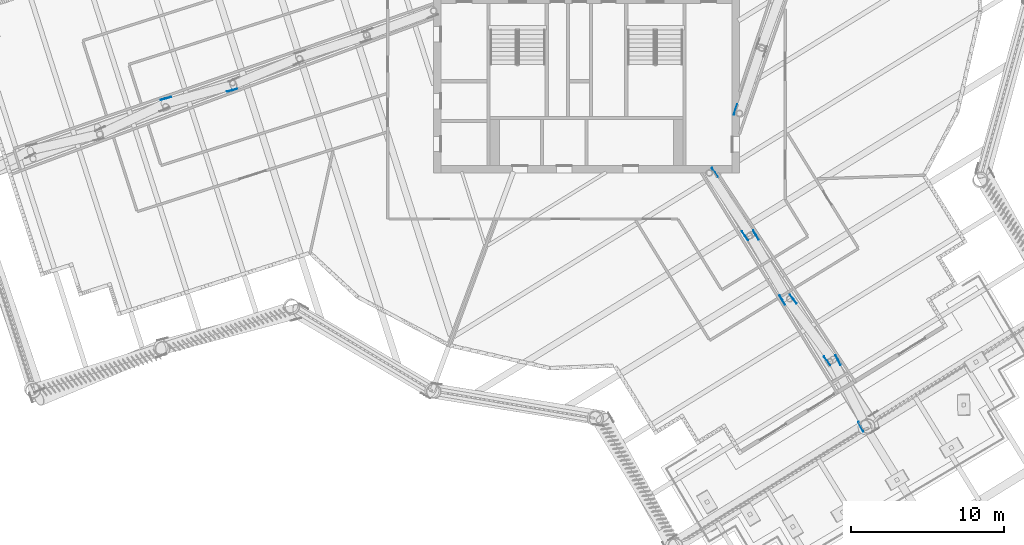
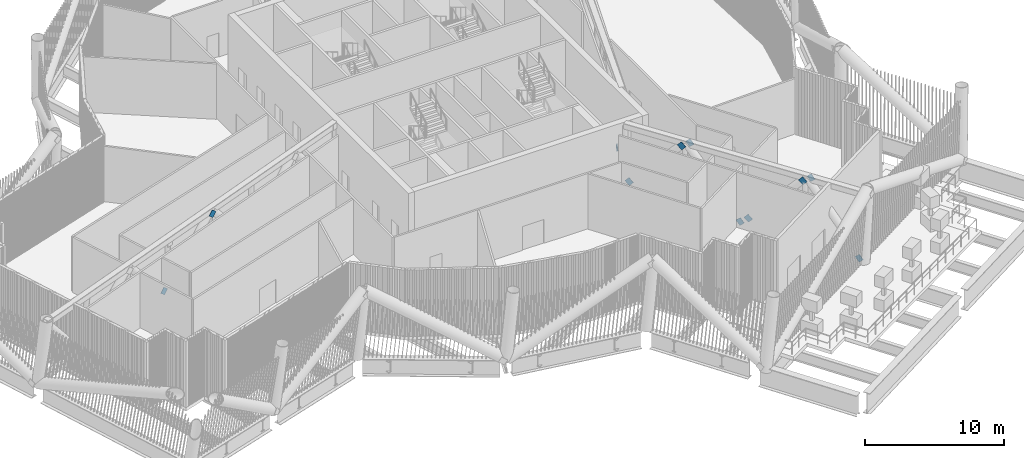
# One storey, part 17 of 40: 11 discrete accessories.
"""IFC4 building model written with IfcOpenShell, lengths in metres."""

from ifc_helpers import new_model, si_unit, direction, frame, origin, origin_2d, place, context, subcontext, project, spatial, rectangle, extrude, material, material_profile, profile_set, type_object, element, save


model = new_model("IFC4")

# Units and contexts
model_context = context("Model", 3, precision=1e-05, world=origin(), true_north=direction((0.0, 1.0)))
body_context = subcontext(model_context, "Body", "Model", "MODEL_VIEW")
ifc_project = project(units=[si_unit("LENGTHUNIT", "METRE"), si_unit("AREAUNIT", "SQUARE_METRE"), si_unit("VOLUMEUNIT", "CUBIC_METRE"), si_unit("PLANEANGLEUNIT", "RADIAN"), si_unit("MASSUNIT", "GRAM", prefix="KILO")], contexts=[model_context])

# Site, building, storey
site_placement = place(None, origin())
site = spatial("IfcSite", under=ifc_project, at=site_placement, CompositionType="ELEMENT")
building_placement = place(site_placement, origin())
building = spatial("IfcBuilding", under=site, at=building_placement, Name="Tarsis Ring Headquarters", CompositionType="ELEMENT")
storey_placement = place(building_placement, frame((0.0, 0.0, 354.800048828125)))
storey = spatial("IfcBuildingStorey", under=building, at=storey_placement, Name="L84", CompositionType="ELEMENT", Elevation=354.800048828125)

# Discrete accessories
ifc_material = material(Name="Structural steel S355", Category="steel")
ifc_material_profile = material_profile(ifc_material, rectangle(XDim=0.02490234375, YDim=0.5, at=origin_2d()), Name="PL 25x500")
ifc_profile_set = profile_set([ifc_material_profile], Name="Structural steel S355")
discrete_accessory_type = type_object("IfcDiscreteAccessoryType", Name="Gusset plate Outrigger 25", PredefinedType="BRACKET", material=ifc_profile_set)
for number, where, z_axis, x_axis, name in (
    (1, (9.698974609375, -8.999267578125, 0.25390625), (0.205588440169, 0.614323652573, 0.761800395877), (-0.948305714134, 0.317358271582, 0.0), "Gusset plate GP1"),
    (2, (8.301513671875, -12.825439453125, 0.25390625), (0.371074198428, -0.563935130505, 0.737754097137), (0.835373382951, 0.549682918652, 0.0), "Gusset plate GP1"),
    (3, (10.455810546875, -17.249755859375, 5.5859375), (-0.371597358625, 0.563499805326, -0.737823401947), (-0.834822196695, -0.550519663505, 0.0), "Gusset plate GP1"),
    (4, (10.995361328125, -16.916259765625, 5.5859375), (0.338425142969, -0.584552519673, -0.737405434174), (0.865426285481, 0.501036270542, 0.0), "Gusset plate GP1"),
    (5, (12.89306640625, -21.459228515625, 0.25390625), (-0.338303298019, 0.584342060215, 0.73762811444), (-0.865426285481, -0.501036270542, 0.0), "Gusset plate GP1"),
    (6, (13.422119140625, -21.11083984375, 0.25390625), (0.403866082481, -0.542069348916, 0.736921304067), (0.8019031875, 0.597453996453, 0.0), "Gusset plate GP1"),
    (7, (15.8349609375, -25.415283203125, 5.5859375), (-0.403759165373, 0.542414066178, -0.736726215897), (-0.802160837765, -0.597108022351, 0.0), "Gusset plate GP1"),
):
    element("IfcDiscreteAccessory", number, at=place(storey_placement, frame(where, z_axis=z_axis, x_axis=x_axis)), inside=storey, type_object=discrete_accessory_type, Name=name, PredefinedType="BRACKET", context=body_context, shape_type="SweptSolid", body=[
        extrude(rectangle(XDim=0.02490234375, YDim=0.5, at=origin_2d()), origin(), (0.0, 0.0, 1.0), 0.5),
    ])
discrete_accessory_1_placement = place(storey_placement, frame((16.37255859375, -25.082763671875, 5.5859375), z_axis=(0.30506564652, -0.604274032627, -0.736062391924), x_axis=(0.892689915984, 0.450671403465, 0.0)))
element("IfcDiscreteAccessory", 8, at=discrete_accessory_1_placement, inside=storey, type_object=discrete_accessory_type, Name="Gusset plate GP1", PredefinedType="BRACKET", context=body_context, shape_type="SweptSolid", body=[
    extrude(rectangle(XDim=0.02490234375, YDim=0.5, at=origin_2d()), origin(), (0.0, 0.0, 1.0), 0.500244140625),
])
discrete_accessory_2_placement = place(storey_placement, frame((18.015380859375, -29.743408203125, 0.25390625), z_axis=(-0.304712746636, 0.604053954469, 0.736389137704), x_axis=(-0.89283365149, -0.450386579248, 0.0)))
element("IfcDiscreteAccessory", 9, at=discrete_accessory_2_placement, inside=storey, type_object=discrete_accessory_type, Name="Gusset plate GP1", PredefinedType="BRACKET", context=body_context, shape_type="SweptSolid", body=[
    extrude(rectangle(XDim=0.02490234375, YDim=0.5, at=origin_2d()), origin(), (0.0, 0.0, 1.0), 0.5),
])
for number, where, z_axis, x_axis, name in (
    (10, (-23.009521484375, -7.54248046875, 5.5859375), (-0.634117863123, -0.17476073518, -0.753228531793), (0.265691172693, -0.964058193655, 0.0), "Gusset plate GP1"),
    (11, (-27.666259765625, -8.168212890625, 0.25390625), (0.634117863123, 0.17476073518, 0.753228531793), (-0.265691172693, 0.964058193655, 0.0), "Gusset plate GP1"),
):
    element("IfcDiscreteAccessory", number, at=place(storey_placement, frame(where, z_axis=z_axis, x_axis=x_axis)), inside=storey, type_object=discrete_accessory_type, Name=name, PredefinedType="BRACKET", context=body_context, shape_type="SweptSolid", body=[
        extrude(rectangle(XDim=0.02490234375, YDim=0.5, at=origin_2d()), origin(), (0.0, 0.0, 1.0), 0.500244140625),
    ])

save(model, "model.ifc")
